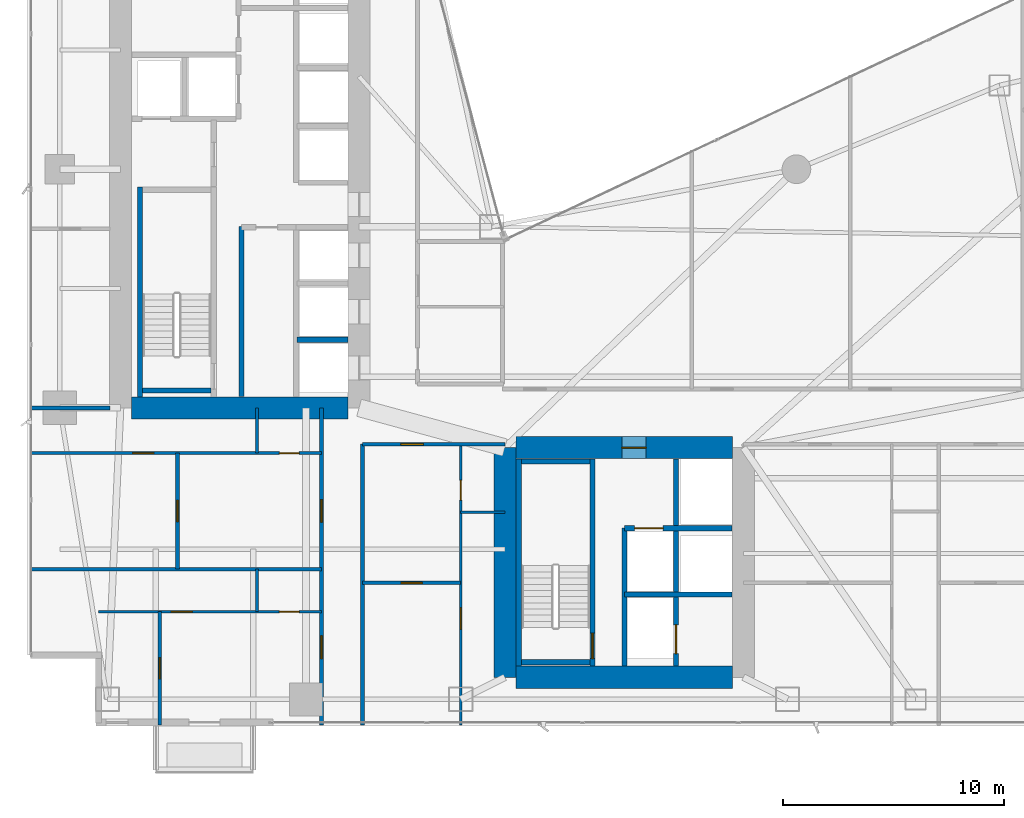
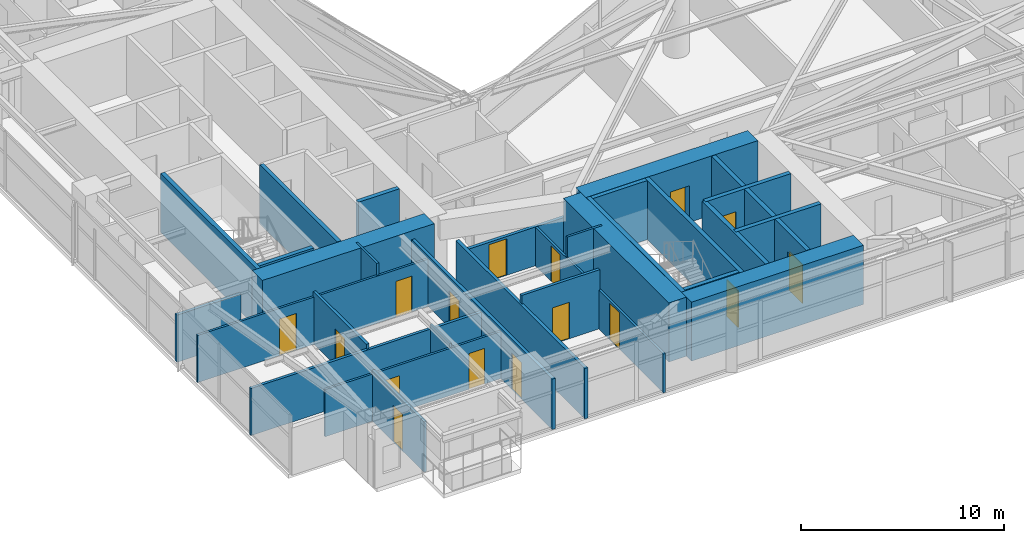
# One storey, part 22 of 29: 30 walls, 16 doors, 16 openings.
"""IFC4 building model written with IfcOpenShell, lengths in metres."""

from ifc_helpers import new_model, si_unit, direction, frame, frame_2d, origin, place, context, subcontext, project, spatial, rectangle, extrude, material, layer, layer_set, type_object, element, fill, save


model = new_model("IFC4")

# Units and contexts
model_context = context("Model", 3, precision=1e-05, world=origin(), true_north=direction((0.0, 1.0)))
body_context = subcontext(model_context, "Body", "Model", "MODEL_VIEW")
ifc_project = project(units=[si_unit("LENGTHUNIT", "METRE"), si_unit("AREAUNIT", "SQUARE_METRE"), si_unit("VOLUMEUNIT", "CUBIC_METRE"), si_unit("PLANEANGLEUNIT", "RADIAN"), si_unit("MASSUNIT", "GRAM", prefix="KILO")], contexts=[model_context])

# Site, building, storey
site_placement = place(None, origin())
site = spatial("IfcSite", under=ifc_project, at=site_placement, CompositionType="ELEMENT")
building_placement = place(site_placement, origin())
building = spatial("IfcBuilding", under=site, at=building_placement, Name="Calvorn Quay Hotel", CompositionType="ELEMENT")
storey_placement = place(building_placement, frame((0.0, 0.0, 34.60009765625)))
storey = spatial("IfcBuildingStorey", under=building, at=storey_placement, Name="L07", CompositionType="ELEMENT", Elevation=34.60009765625)

# Walls
ifc_material_1 = material(Name="Concrete C60", Category="concrete")
ifc_layer_1 = layer(ifc_material_1, 1.0)
ifc_layer_set_1 = layer_set([ifc_layer_1], Name="WL-CORE-1000")
wall_type_1 = type_object("IfcWallType", Name="WL-CORE-1000", PredefinedType="SHEAR", material=ifc_layer_set_1)
wall_1_placement = place(storey_placement, frame((4.699951171875, 16.800048828125, 0.0), z_axis=(0.0, 0.0, 1.0), x_axis=(1.0, 0.0, 0.0)))
element("IfcWall", 1, at=wall_1_placement, inside=storey, type_object=wall_type_1, Name="West Core Shear Wall S (L07)", PredefinedType="SHEAR", context=body_context, shape_type="SweptSolid", body=[
    extrude(rectangle(XDim=9.800048828125, YDim=1.0, at=frame_2d((4.89990234375, 0.0))), origin(), (0.0, 0.0, 1.0), 3.559814453125),
])
wall_2_placement = place(storey_placement, frame((21.60009765625, 4.60009765625, 0.0), z_axis=(0.0, 0.0, 1.0), x_axis=(0.0, 1.0, 0.0)))
element("IfcWall", 2, at=wall_2_placement, inside=storey, type_object=wall_type_1, Name="East Core Shear Wall W (L07)", PredefinedType="SHEAR", context=body_context, shape_type="SweptSolid", body=[
    extrude(rectangle(XDim=10.39990234375, YDim=1.0, at=frame_2d((5.199951171875, 0.0))), origin(), (0.0, 0.0, 1.0), 3.559814453125),
])

# Wall, opening, door
wall_3_placement = place(storey_placement, frame((22.10009765625, 15.0, 0.0), z_axis=(0.0, 0.0, 1.0), x_axis=(1.0, 0.0, 0.0)))
wall_3 = element("IfcWall", 3, at=wall_3_placement, inside=storey, type_object=wall_type_1, Name="East Core Shear Wall N (L07)", PredefinedType="SHEAR", context=body_context, shape_type="SweptSolid", body=[
    extrude(rectangle(XDim=9.7998046875, YDim=1.0, at=frame_2d((4.89990234375, 0.0))), origin(), (0.0, 0.0, 1.0), 3.559814453125),
])
opening_1_placement = place(wall_3_placement, frame((4.800048828125, 0.0, 0.0)))
opening_1 = element("IfcOpeningElement", 4, at=opening_1_placement, cuts=wall_3, Name="Opening D-L07-FLE", PredefinedType="OPENING", context=body_context, shape_type="SweptSolid", body=[
    extrude(rectangle(XDim=1.10009765625, YDim=2.199951171875, at=frame_2d((0.550048828125, 1.10009765625))), frame((0.0, 0.510009765625, 0.0), z_axis=(0.0, -1.0, 0.0), x_axis=(1.0, 0.0, 0.0)), (0.0, 0.0, 1.0), 1.02001953125),
])
ifc_material_2 = material(Name="Smoke-Sealed Steel Class A Fire Door", Category="steel")
door_type_1 = type_object("IfcDoorType", Name="DR-FFLOBBY-1100", OperationType="NOTDEFINED", PredefinedType="DOOR", material=ifc_material_2)
door_1_placement = place(opening_1_placement, origin())
door_1 = element("IfcDoor", 5, at=door_1_placement, inside=storey, type_object=door_type_1, Name="East Firefighting Lobby Fire Door (L07)", OperationType="SINGLE_SWING_LEFT", OverallHeight=2.199951171875, OverallWidth=1.10009765625, PredefinedType="DOOR", context=body_context, shape_type="SweptSolid", body=[
    extrude(rectangle(XDim=1.10009765625, YDim=2.199951171875, at=frame_2d((0.550048828125, 1.10009765625))), frame((0.0, 0.02490234375, 0.0), z_axis=(0.0, -1.0, 0.0), x_axis=(1.0, 0.0, 0.0)), (0.0, 0.0, 1.0), 0.050048828125),
])
fill(opening_1, door_1)

# Walls
wall_4_placement = place(storey_placement, frame((22.10009765625, 4.60009765625, 0.0), z_axis=(0.0, 0.0, 1.0), x_axis=(1.0, 0.0, 0.0)))
element("IfcWall", 6, at=wall_4_placement, inside=storey, type_object=wall_type_1, Name="East Core Shear Wall S (L07)", PredefinedType="SHEAR", context=body_context, shape_type="SweptSolid", body=[
    extrude(rectangle(XDim=9.7998046875, YDim=1.0, at=frame_2d((4.89990234375, 0.0))), origin(), (0.0, 0.0, 1.0), 3.559814453125),
])
ifc_material_3 = material(Name="Acoustic Fireboard Steel-Stud Partition", Category="steel")
ifc_layer_2 = layer(ifc_material_3, 0.179931640625)
ifc_layer_set_2 = layer_set([ifc_layer_2], Name="WL-CORR-FIRE-180")
wall_type_2 = type_object("IfcWallType", Name="WL-CORR-FIRE-180", PredefinedType="PARTITIONING", material=ifc_layer_set_2)
wall_5_placement = place(storey_placement, frame((0.080078125, 16.800048828125, 0.0), z_axis=(0.0, 0.0, 1.0), x_axis=(1.0, 0.0, 0.0)))
element("IfcWall", 7, at=wall_5_placement, inside=storey, type_object=wall_type_2, Name="Partition Wall L07-WL-WBAY-S-WALL", PredefinedType="PARTITIONING", context=body_context, shape_type="SweptSolid", body=[
    extrude(rectangle(XDim=3.64990234375, YDim=0.179931640625, at=frame_2d((1.824951171875, 0.0))), origin(), (0.0, 0.0, 1.0), 2.83984375),
])

# Wall, openings, doors
wall_6_placement = place(storey_placement, frame((13.300048828125, 2.43994140625, 0.0), z_axis=(0.0, 0.0, 1.0), x_axis=(0.0, 1.0, 0.0)))
wall_6 = element("IfcWall", 8, at=wall_6_placement, inside=storey, type_object=wall_type_2, Name="Partition Wall L07-WL-CORR-SW-LEG-W", PredefinedType="PARTITIONING", context=body_context, shape_type="SweptSolid", body=[
    extrude(rectangle(XDim=14.360107421875, YDim=0.179931640625, at=frame_2d((7.18017578125, 0.0))), origin(), (0.0, 0.0, 1.0), 3.039794921875),
])
opening_2_placement = place(wall_6_placement, frame((3.010009765625, 0.0, 0.0)))
opening_2 = element("IfcOpeningElement", 9, at=opening_2_placement, cuts=wall_6, Name="Opening D-L07-U01", PredefinedType="OPENING", context=body_context, shape_type="SweptSolid", body=[
    extrude(rectangle(XDim=1.02001953125, YDim=2.199951171875, at=frame_2d((0.510009765625, 1.10009765625))), frame((0.0, 0.099853515625, 0.0), z_axis=(0.0, -1.0, 0.0), x_axis=(1.0, 0.0, 0.0)), (0.0, 0.0, 1.0), 0.199951171875),
])
opening_3_placement = place(wall_6_placement, frame((9.179931640625, 0.0, 0.0)))
opening_3 = element("IfcOpeningElement", 10, at=opening_3_placement, cuts=wall_6, Name="Opening D-L07-U02", PredefinedType="OPENING", context=body_context, shape_type="SweptSolid", body=[
    extrude(rectangle(XDim=1.02001953125, YDim=2.199951171875, at=frame_2d((0.510009765625, 1.10009765625))), frame((0.0, 0.099853515625, 0.0), z_axis=(0.0, -1.0, 0.0), x_axis=(1.0, 0.0, 0.0)), (0.0, 0.0, 1.0), 0.199951171875),
])
ifc_material_4 = material(Name="Solid-Core Walnut Veneer Hotel Fire Door")
door_type_2 = type_object("IfcDoorType", Name="DR-GUEST-ENTRY-1020", OperationType="NOTDEFINED", PredefinedType="DOOR", material=ifc_material_4)
door_2_placement = place(opening_2_placement, origin())
door_2 = element("IfcDoor", 11, at=door_2_placement, inside=storey, type_object=door_type_2, Name="South-West Unit Door U01 (L07)", OperationType="SINGLE_SWING_LEFT", OverallHeight=2.199951171875, OverallWidth=1.02001953125, PredefinedType="DOOR", context=body_context, shape_type="SweptSolid", body=[
    extrude(rectangle(XDim=1.02001953125, YDim=2.199951171875, at=frame_2d((0.510009765625, 1.10009765625))), frame((0.0, 0.02490234375, 0.0), z_axis=(0.0, -1.0, 0.0), x_axis=(1.0, 0.0, 0.0)), (0.0, 0.0, 1.0), 0.050048828125),
])
fill(opening_2, door_2)
door_3_placement = place(opening_3_placement, origin())
door_3 = element("IfcDoor", 12, at=door_3_placement, inside=storey, type_object=door_type_2, Name="South-West Unit Door U02 (L07)", OperationType="SINGLE_SWING_RIGHT", OverallHeight=2.199951171875, OverallWidth=1.02001953125, PredefinedType="DOOR", context=body_context, shape_type="SweptSolid", body=[
    extrude(rectangle(XDim=1.02001953125, YDim=2.199951171875, at=frame_2d((0.510009765625, 1.10009765625))), frame((0.0, 0.02490234375, 0.0), z_axis=(0.0, -1.0, 0.0), x_axis=(1.0, 0.0, 0.0)), (0.0, 0.0, 1.0), 0.050048828125),
])
fill(opening_3, door_3)

# Wall
wall_7_placement = place(storey_placement, frame((15.14990234375, 2.43994140625, 0.0), z_axis=(0.0, 0.0, 1.0), x_axis=(0.0, 1.0, 0.0)))
element("IfcWall", 13, at=wall_7_placement, inside=storey, type_object=wall_type_2, Name="Partition Wall L07-WL-CORR-SW-W", PredefinedType="PARTITIONING", context=body_context, shape_type="SweptSolid", body=[
    extrude(rectangle(XDim=12.7099609375, YDim=0.179931640625, at=frame_2d((6.35498046875, 0.0))), origin(), (0.0, 0.0, 1.0), 3.039794921875),
])

# Wall, opening, door
wall_8_placement = place(storey_placement, frame((15.14990234375, 15.14990234375, 0.0), z_axis=(0.0, 0.0, 1.0), x_axis=(1.0, 0.0, 0.0)))
wall_8 = element("IfcWall", 14, at=wall_8_placement, inside=storey, type_object=wall_type_2, Name="Partition Wall L07-WL-SC-CORR-S", PredefinedType="PARTITIONING", context=body_context, shape_type="SweptSolid", body=[
    extrude(rectangle(XDim=6.4501953125, YDim=0.179931640625, at=frame_2d((3.22509765625, 0.0))), origin(), (0.0, 0.0, 1.0), 2.33984375),
])
opening_4_placement = place(wall_8_placement, frame((1.739990234375, 0.0, 0.0)))
opening_4 = element("IfcOpeningElement", 15, at=opening_4_placement, cuts=wall_8, Name="Opening D-L07-U03", PredefinedType="OPENING", context=body_context, shape_type="SweptSolid", body=[
    extrude(rectangle(XDim=1.02001953125, YDim=2.199951171875, at=frame_2d((0.510009765625, 1.10009765625))), frame((0.0, 0.099853515625, 0.0), z_axis=(0.0, -1.0, 0.0), x_axis=(1.0, 0.0, 0.0)), (0.0, 0.0, 1.0), 0.199951171875),
])
door_4_placement = place(opening_4_placement, origin())
door_4 = element("IfcDoor", 16, at=door_4_placement, inside=storey, type_object=door_type_2, Name="Harbour Central Unit Door (L07)", OperationType="SINGLE_SWING_LEFT", OverallHeight=2.199951171875, OverallWidth=1.02001953125, PredefinedType="DOOR", context=body_context, shape_type="SweptSolid", body=[
    extrude(rectangle(XDim=1.02001953125, YDim=2.199951171875, at=frame_2d((0.510009765625, 1.10009765625))), frame((0.0, 0.02490234375, 0.0), z_axis=(0.0, -1.0, 0.0), x_axis=(1.0, 0.0, 0.0)), (0.0, 0.0, 1.0), 0.050048828125),
])
fill(opening_4, door_4)

# Wall
ifc_material_5 = material(Name="Moisture-Resistant Tile-Backed Partition")
ifc_layer_3 = layer(ifc_material_5, 0.125)
ifc_layer_set_3 = layer_set([ifc_layer_3], Name="WL-ENSUITE-125")
wall_type_3 = type_object("IfcWallType", Name="WL-ENSUITE-125", PredefinedType="PARTITIONING", material=ifc_layer_set_3)
wall_9_placement = place(storey_placement, frame((10.3798828125, 7.570068359375, 0.0), z_axis=(0.0, 0.0, 1.0), x_axis=(0.0, 1.0, 0.0)))
element("IfcWall", 17, at=wall_9_placement, inside=storey, type_object=wall_type_3, Name="Partition Wall L07-WL-U01-BDV", PredefinedType="PARTITIONING", context=body_context, shape_type="SweptSolid", body=[
    extrude(rectangle(XDim=1.929931640625, YDim=0.125, at=frame_2d((0.96484375, 0.0))), origin(), (0.0, 0.0, 1.0), 3.08984375),
])

# Wall, openings, doors
wall_10_placement = place(storey_placement, frame((3.199951171875, 7.570068359375, 0.0), z_axis=(0.0, 0.0, 1.0), x_axis=(1.0, 0.0, 0.0)))
wall_10 = element("IfcWall", 18, at=wall_10_placement, inside=storey, type_object=wall_type_3, Name="Partition Wall L07-WL-U01-BH", PredefinedType="PARTITIONING", context=body_context, shape_type="SweptSolid", body=[
    extrude(rectangle(XDim=10.10009765625, YDim=0.125, at=frame_2d((5.050048828125, 0.0))), origin(), (0.0, 0.0, 1.0), 2.83984375),
])
opening_5_placement = place(wall_10_placement, frame((3.2900390625, 0.0, 0.0)))
opening_5 = element("IfcOpeningElement", 19, at=opening_5_placement, cuts=wall_10, Name="Opening D-L07-S01", PredefinedType="OPENING", context=body_context, shape_type="SweptSolid", body=[
    extrude(rectangle(XDim=0.9599609375, YDim=2.199951171875, at=frame_2d((0.47998046875, 1.10009765625))), frame((0.0, 0.072509765625, 0.0), z_axis=(0.0, -1.0, 0.0), x_axis=(1.0, 0.0, 0.0)), (0.0, 0.0, 1.0), 0.14501953125),
])
opening_6_placement = place(wall_10_placement, frame((8.18994140625, 0.0, 0.0)))
opening_6 = element("IfcOpeningElement", 20, at=opening_6_placement, cuts=wall_10, Name="Opening D-L07-E01", PredefinedType="OPENING", context=body_context, shape_type="SweptSolid", body=[
    extrude(rectangle(XDim=0.89990234375, YDim=2.14990234375, at=frame_2d((0.449951171875, 1.074951171875))), frame((0.0, 0.072509765625, 0.0), z_axis=(0.0, -1.0, 0.0), x_axis=(1.0, 0.0, 0.0)), (0.0, 0.0, 1.0), 0.14501953125),
])
ifc_material_6 = material(Name="Moisture-Sealed Timber En-Suite Door", Category="wood")
door_type_3 = type_object("IfcDoorType", Name="DR-ENSUITE-900", OperationType="NOTDEFINED", PredefinedType="DOOR", material=ifc_material_6)
door_5_placement = place(opening_6_placement, origin())
door_5 = element("IfcDoor", 21, at=door_5_placement, inside=storey, type_object=door_type_3, Name="En-Suite Door 01", OperationType="SINGLE_SWING_RIGHT", OverallHeight=2.14990234375, OverallWidth=0.89990234375, PredefinedType="DOOR", context=body_context, shape_type="SweptSolid", body=[
    extrude(rectangle(XDim=0.89990234375, YDim=2.14990234375, at=frame_2d((0.449951171875, 1.074951171875))), frame((0.0, 0.02490234375, 0.0), z_axis=(0.0, -1.0, 0.0), x_axis=(1.0, 0.0, 0.0)), (0.0, 0.0, 1.0), 0.050048828125),
])
fill(opening_6, door_5)
ifc_material_7 = material(Name="Solid Timber Internal Suite Door", Category="wood")
door_type_4 = type_object("IfcDoorType", Name="DR-SUITE-INT-960", OperationType="NOTDEFINED", PredefinedType="DOOR", material=ifc_material_7)
door_6_placement = place(opening_5_placement, origin())
door_6 = element("IfcDoor", 22, at=door_6_placement, inside=storey, type_object=door_type_4, Name="Harbour Tea Room Door 01", OperationType="SINGLE_SWING_LEFT", OverallHeight=2.199951171875, OverallWidth=0.9599609375, PredefinedType="DOOR", context=body_context, shape_type="SweptSolid", body=[
    extrude(rectangle(XDim=0.9599609375, YDim=2.199951171875, at=frame_2d((0.47998046875, 1.10009765625))), frame((0.0, 0.02490234375, 0.0), z_axis=(0.0, -1.0, 0.0), x_axis=(1.0, 0.0, 0.0)), (0.0, 0.0, 1.0), 0.050048828125),
])
fill(opening_5, door_6)

# Wall
wall_11_placement = place(storey_placement, frame((10.3798828125, 14.75, 0.0), z_axis=(0.0, 0.0, 1.0), x_axis=(0.0, 1.0, 0.0)))
element("IfcWall", 23, at=wall_11_placement, inside=storey, type_object=wall_type_3, Name="Partition Wall L07-WL-U02-BDV", PredefinedType="PARTITIONING", context=body_context, shape_type="SweptSolid", body=[
    extrude(rectangle(XDim=2.050048828125, YDim=0.125, at=frame_2d((1.02490234375, 0.0))), origin(), (0.0, 0.0, 1.0), 3.559814453125),
])

# Wall, openings, doors
wall_12_placement = place(storey_placement, frame((0.080078125, 14.75, 0.0), z_axis=(0.0, 0.0, 1.0), x_axis=(1.0, 0.0, 0.0)))
wall_12 = element("IfcWall", 24, at=wall_12_placement, inside=storey, type_object=wall_type_3, Name="Partition Wall L07-WL-U02-BH", PredefinedType="PARTITIONING", context=body_context, shape_type="SweptSolid", body=[
    extrude(rectangle(XDim=13.219970703125, YDim=0.125, at=frame_2d((6.60986328125, 0.0))), origin(), (0.0, 0.0, 1.0), 2.83984375),
])
opening_7_placement = place(wall_12_placement, frame((4.669921875, 0.0, 0.0)))
opening_7 = element("IfcOpeningElement", 25, at=opening_7_placement, cuts=wall_12, Name="Opening D-L07-S02", PredefinedType="OPENING", context=body_context, shape_type="SweptSolid", body=[
    extrude(rectangle(XDim=0.9599609375, YDim=2.199951171875, at=frame_2d((0.47998046875, 1.10009765625))), frame((0.0, 0.072509765625, 0.0), z_axis=(0.0, -1.0, 0.0), x_axis=(1.0, 0.0, 0.0)), (0.0, 0.0, 1.0), 0.14501953125),
])
opening_8_placement = place(wall_12_placement, frame((11.31005859375, 0.0, 0.0)))
opening_8 = element("IfcOpeningElement", 26, at=opening_8_placement, cuts=wall_12, Name="Opening D-L07-E02", PredefinedType="OPENING", context=body_context, shape_type="SweptSolid", body=[
    extrude(rectangle(XDim=0.89990234375, YDim=2.14990234375, at=frame_2d((0.449951171875, 1.074951171875))), frame((0.0, 0.072509765625, 0.0), z_axis=(0.0, -1.0, 0.0), x_axis=(1.0, 0.0, 0.0)), (0.0, 0.0, 1.0), 0.14501953125),
])
door_7_placement = place(opening_8_placement, origin())
door_7 = element("IfcDoor", 27, at=door_7_placement, inside=storey, type_object=door_type_3, Name="En-Suite Door 02", OperationType="SINGLE_SWING_RIGHT", OverallHeight=2.14990234375, OverallWidth=0.89990234375, PredefinedType="DOOR", context=body_context, shape_type="SweptSolid", body=[
    extrude(rectangle(XDim=0.89990234375, YDim=2.14990234375, at=frame_2d((0.449951171875, 1.074951171875))), frame((0.0, 0.02490234375, 0.0), z_axis=(0.0, -1.0, 0.0), x_axis=(1.0, 0.0, 0.0)), (0.0, 0.0, 1.0), 0.050048828125),
])
fill(opening_8, door_7)
door_8_placement = place(opening_7_placement, origin())
door_8 = element("IfcDoor", 28, at=door_8_placement, inside=storey, type_object=door_type_4, Name="Harbour Tea Room Door 02", OperationType="SINGLE_SWING_LEFT", OverallHeight=2.199951171875, OverallWidth=0.9599609375, PredefinedType="DOOR", context=body_context, shape_type="SweptSolid", body=[
    extrude(rectangle(XDim=0.9599609375, YDim=2.199951171875, at=frame_2d((0.47998046875, 1.10009765625))), frame((0.0, 0.02490234375, 0.0), z_axis=(0.0, -1.0, 0.0), x_axis=(1.0, 0.0, 0.0)), (0.0, 0.0, 1.0), 0.050048828125),
])
fill(opening_7, door_8)

# Wall
wall_13_placement = place(storey_placement, frame((19.60009765625, 12.070068359375, 0.0), z_axis=(0.0, 0.0, 1.0), x_axis=(1.0, 0.0, 0.0)))
element("IfcWall", 29, at=wall_13_placement, inside=storey, type_object=wall_type_3, Name="Partition Wall L07-WL-U03-BDV", PredefinedType="PARTITIONING", context=body_context, shape_type="SweptSolid", body=[
    extrude(rectangle(XDim=2.0, YDim=0.125, at=frame_2d((1.0, 0.0))), origin(), (0.0, 0.0, 1.0), 3.559814453125),
])

# Wall, openings, doors
wall_14_placement = place(storey_placement, frame((19.60009765625, 2.43994140625, 0.0), z_axis=(0.0, 0.0, 1.0), x_axis=(0.0, 1.0, 0.0)))
wall_14 = element("IfcWall", 30, at=wall_14_placement, inside=storey, type_object=wall_type_3, Name="Partition Wall L07-WL-U03-BV", PredefinedType="PARTITIONING", context=body_context, shape_type="SweptSolid", body=[
    extrude(rectangle(XDim=12.7099609375, YDim=0.125, at=frame_2d((6.35498046875, 0.0))), origin(), (0.0, 0.0, 1.0), 2.33984375),
])
opening_9_placement = place(wall_14_placement, frame((4.340087890625, 0.0, 0.0)))
opening_9 = element("IfcOpeningElement", 31, at=opening_9_placement, cuts=wall_14, Name="Opening D-L07-S03", PredefinedType="OPENING", context=body_context, shape_type="SweptSolid", body=[
    extrude(rectangle(XDim=0.9599609375, YDim=2.199951171875, at=frame_2d((0.47998046875, 1.10009765625))), frame((0.0, 0.072509765625, 0.0), z_axis=(0.0, -1.0, 0.0), x_axis=(1.0, 0.0, 0.0)), (0.0, 0.0, 1.0), 0.14501953125),
])
opening_10_placement = place(wall_14_placement, frame((10.179931640625, 0.0, 0.0)))
opening_10 = element("IfcOpeningElement", 32, at=opening_10_placement, cuts=wall_14, Name="Opening D-L07-E03", PredefinedType="OPENING", context=body_context, shape_type="SweptSolid", body=[
    extrude(rectangle(XDim=0.89990234375, YDim=2.14990234375, at=frame_2d((0.449951171875, 1.074951171875))), frame((0.0, 0.072509765625, 0.0), z_axis=(0.0, -1.0, 0.0), x_axis=(1.0, 0.0, 0.0)), (0.0, 0.0, 1.0), 0.14501953125),
])
door_9_placement = place(opening_10_placement, origin())
door_9 = element("IfcDoor", 33, at=door_9_placement, inside=storey, type_object=door_type_3, Name="En-Suite Door 03", OperationType="SINGLE_SWING_RIGHT", OverallHeight=2.14990234375, OverallWidth=0.89990234375, PredefinedType="DOOR", context=body_context, shape_type="SweptSolid", body=[
    extrude(rectangle(XDim=0.89990234375, YDim=2.14990234375, at=frame_2d((0.449951171875, 1.074951171875))), frame((0.0, 0.02490234375, 0.0), z_axis=(0.0, -1.0, 0.0), x_axis=(1.0, 0.0, 0.0)), (0.0, 0.0, 1.0), 0.050048828125),
])
fill(opening_10, door_9)
door_10_placement = place(opening_9_placement, origin())
door_10 = element("IfcDoor", 34, at=door_10_placement, inside=storey, type_object=door_type_4, Name="Harbour Tea Room Door 03", OperationType="SINGLE_SWING_LEFT", OverallHeight=2.199951171875, OverallWidth=0.9599609375, PredefinedType="DOOR", context=body_context, shape_type="SweptSolid", body=[
    extrude(rectangle(XDim=0.9599609375, YDim=2.199951171875, at=frame_2d((0.47998046875, 1.10009765625))), frame((0.0, 0.02490234375, 0.0), z_axis=(0.0, -1.0, 0.0), x_axis=(1.0, 0.0, 0.0)), (0.0, 0.0, 1.0), 0.050048828125),
])
fill(opening_9, door_10)

# Wall, opening, door
ifc_material_8 = material(Name="Double-Stud Acoustic Gypsum Partition")
ifc_layer_4 = layer(ifc_material_8, 0.159912109375)
ifc_layer_set_4 = layer_set([ifc_layer_4], Name="WL-INTERSUITE-160")
wall_type_4 = type_object("IfcWallType", Name="WL-INTERSUITE-160", PredefinedType="PARTITIONING", material=ifc_layer_set_4)
wall_15_placement = place(storey_placement, frame((5.97998046875, 2.43994140625, 0.0), z_axis=(0.0, 0.0, 1.0), x_axis=(0.0, 1.0, 0.0)))
wall_15 = element("IfcWall", 35, at=wall_15_placement, inside=storey, type_object=wall_type_4, Name="Partition Wall L07-WL-U01-MSP", PredefinedType="PARTITIONING", context=body_context, shape_type="SweptSolid", body=[
    extrude(rectangle(XDim=5.130126953125, YDim=0.159912109375, at=frame_2d((2.56494140625, 0.0))), origin(), (0.0, 0.0, 1.0), 3.039794921875),
])
opening_11_placement = place(wall_15_placement, frame((2.090087890625, 0.0, 0.0)))
opening_11 = element("IfcOpeningElement", 36, at=opening_11_placement, cuts=wall_15, Name="Opening D-L07-M01", PredefinedType="OPENING", context=body_context, shape_type="SweptSolid", body=[
    extrude(rectangle(XDim=0.9599609375, YDim=2.199951171875, at=frame_2d((0.47998046875, 1.10009765625))), frame((0.0, 0.08984375, 0.0), z_axis=(0.0, -1.0, 0.0), x_axis=(1.0, 0.0, 0.0)), (0.0, 0.0, 1.0), 0.179931640625),
])
door_11_placement = place(opening_11_placement, origin())
door_11 = element("IfcDoor", 37, at=door_11_placement, inside=storey, type_object=door_type_4, Name="Suite Bedroom Door 01", OperationType="SINGLE_SWING_LEFT", OverallHeight=2.199951171875, OverallWidth=0.9599609375, PredefinedType="DOOR", context=body_context, shape_type="SweptSolid", body=[
    extrude(rectangle(XDim=0.9599609375, YDim=2.199951171875, at=frame_2d((0.47998046875, 1.10009765625))), frame((0.0, 0.02490234375, 0.0), z_axis=(0.0, -1.0, 0.0), x_axis=(1.0, 0.0, 0.0)), (0.0, 0.0, 1.0), 0.050048828125),
])
fill(opening_11, door_11)

wall_16_placement = place(storey_placement, frame((6.780029296875, 9.5, 0.0), z_axis=(0.0, 0.0, 1.0), x_axis=(0.0, 1.0, 0.0)))
wall_16 = element("IfcWall", 38, at=wall_16_placement, inside=storey, type_object=wall_type_4, Name="Partition Wall L07-WL-U02-MSP", PredefinedType="PARTITIONING", context=body_context, shape_type="SweptSolid", body=[
    extrude(rectangle(XDim=5.25, YDim=0.159912109375, at=frame_2d((2.625, 0.0))), origin(), (0.0, 0.0, 1.0), 3.139892578125),
])
opening_12_placement = place(wall_16_placement, frame((2.14990234375, 0.0, 0.0)))
opening_12 = element("IfcOpeningElement", 39, at=opening_12_placement, cuts=wall_16, Name="Opening D-L07-M02", PredefinedType="OPENING", context=body_context, shape_type="SweptSolid", body=[
    extrude(rectangle(XDim=0.9599609375, YDim=2.199951171875, at=frame_2d((0.47998046875, 1.10009765625))), frame((0.0, 0.08984375, 0.0), z_axis=(0.0, -1.0, 0.0), x_axis=(1.0, 0.0, 0.0)), (0.0, 0.0, 1.0), 0.179931640625),
])
door_12_placement = place(opening_12_placement, origin())
door_12 = element("IfcDoor", 40, at=door_12_placement, inside=storey, type_object=door_type_4, Name="Suite Bedroom Door 02", OperationType="SINGLE_SWING_LEFT", OverallHeight=2.199951171875, OverallWidth=0.9599609375, PredefinedType="DOOR", context=body_context, shape_type="SweptSolid", body=[
    extrude(rectangle(XDim=0.9599609375, YDim=2.199951171875, at=frame_2d((0.47998046875, 1.10009765625))), frame((0.0, 0.02490234375, 0.0), z_axis=(0.0, -1.0, 0.0), x_axis=(1.0, 0.0, 0.0)), (0.0, 0.0, 1.0), 0.050048828125),
])
fill(opening_12, door_12)

# Wall
wall_17_placement = place(storey_placement, frame((0.080078125, 9.5, 0.0), z_axis=(0.0, 0.0, 1.0), x_axis=(1.0, 0.0, 0.0)))
element("IfcWall", 41, at=wall_17_placement, inside=storey, type_object=wall_type_4, Name="Partition Wall L07-WL-SW-DIV-1", PredefinedType="PARTITIONING", context=body_context, shape_type="SweptSolid", body=[
    extrude(rectangle(XDim=13.219970703125, YDim=0.159912109375, at=frame_2d((6.60986328125, 0.0))), origin(), (0.0, 0.0, 1.0), 2.83984375),
])

# Wall, opening, door
wall_18_placement = place(storey_placement, frame((15.14990234375, 8.8701171875, 0.0), z_axis=(0.0, 0.0, 1.0), x_axis=(1.0, 0.0, 0.0)))
wall_18 = element("IfcWall", 42, at=wall_18_placement, inside=storey, type_object=wall_type_4, Name="Partition Wall L07-WL-U03-MSP", PredefinedType="PARTITIONING", context=body_context, shape_type="SweptSolid", body=[
    extrude(rectangle(XDim=4.4501953125, YDim=0.159912109375, at=frame_2d((2.22509765625, 0.0))), origin(), (0.0, 0.0, 1.0), 3.559814453125),
])
opening_13_placement = place(wall_18_placement, frame((1.75, 0.0, 0.0)))
opening_13 = element("IfcOpeningElement", 43, at=opening_13_placement, cuts=wall_18, Name="Opening D-L07-M03", PredefinedType="OPENING", context=body_context, shape_type="SweptSolid", body=[
    extrude(rectangle(XDim=0.9599609375, YDim=2.199951171875, at=frame_2d((0.47998046875, 1.10009765625))), frame((0.0, 0.08984375, 0.0), z_axis=(0.0, -1.0, 0.0), x_axis=(1.0, 0.0, 0.0)), (0.0, 0.0, 1.0), 0.179931640625),
])
door_13_placement = place(opening_13_placement, origin())
door_13 = element("IfcDoor", 44, at=door_13_placement, inside=storey, type_object=door_type_4, Name="Suite Bedroom Door 03", OperationType="SINGLE_SWING_LEFT", OverallHeight=2.199951171875, OverallWidth=0.9599609375, PredefinedType="DOOR", context=body_context, shape_type="SweptSolid", body=[
    extrude(rectangle(XDim=0.9599609375, YDim=2.199951171875, at=frame_2d((0.47998046875, 1.10009765625))), frame((0.0, 0.02490234375, 0.0), z_axis=(0.0, -1.0, 0.0), x_axis=(1.0, 0.0, 0.0)), (0.0, 0.0, 1.0), 0.050048828125),
])
fill(opening_13, door_13)

# Walls
ifc_material_9 = material(Name="Autoclaved Aerated Masonry Block", Category="masonry")
ifc_layer_5 = layer(ifc_material_9, 0.219970703125)
ifc_layer_set_5 = layer_set([ifc_layer_5], Name="WL-LOBBY-FIRE-220")
wall_type_5 = type_object("IfcWallType", Name="WL-LOBBY-FIRE-220", PredefinedType="SOLIDWALL", material=ifc_layer_set_5)
wall_19_placement = place(storey_placement, frame((9.679931640625, 17.320068359375, 0.0), z_axis=(0.0, 0.0, 1.0), x_axis=(0.0, 1.0, 0.0)))
element("IfcWall", 45, at=wall_19_placement, inside=storey, type_object=wall_type_5, Name="Partition Wall L07-WL-CWW-STW-HALL-E", PredefinedType="SOLIDWALL", context=body_context, shape_type="SweptSolid", body=[
    extrude(rectangle(XDim=7.679931640625, YDim=0.219970703125, at=frame_2d((3.83984375, 0.0))), origin(), (0.0, 0.0, 1.0), 3.559814453125),
])
ifc_material_10 = material(Name="Concrete C40", Category="concrete")
ifc_layer_6 = layer(ifc_material_10, 0.239990234375)
ifc_layer_set_6 = layer_set([ifc_layer_6], Name="WL-SHAFT-240")
wall_type_6 = type_object("IfcWallType", Name="WL-SHAFT-240", PredefinedType="SOLIDWALL", material=ifc_layer_set_6)
wall_20_placement = place(storey_placement, frame((5.080078125, 17.300048828125, 0.0), z_axis=(0.0, 0.0, 1.0), x_axis=(0.0, 1.0, 0.0)))
element("IfcWall", 46, at=wall_20_placement, inside=storey, type_object=wall_type_6, Name="Stair STW Shaft Wall W (L07)", PredefinedType="SOLIDWALL", context=body_context, shape_type="SweptSolid", body=[
    extrude(rectangle(XDim=9.489990234375, YDim=0.239990234375, at=frame_2d((4.7451171875, 0.0))), origin(), (0.0, 0.0, 1.0), 3.559814453125),
])
wall_21_placement = place(storey_placement, frame((5.199951171875, 17.580078125, 0.0), z_axis=(0.0, 0.0, 1.0), x_axis=(1.0, 0.0, 0.0)))
element("IfcWall", 47, at=wall_21_placement, inside=storey, type_object=wall_type_6, Name="Stair STW Shaft Wall S (L07)", PredefinedType="SOLIDWALL", context=body_context, shape_type="SweptSolid", body=[
    extrude(rectangle(XDim=3.10009765625, YDim=0.239990234375, at=frame_2d((1.550048828125, 0.0))), origin(), (0.0, 0.0, 1.0), 3.559814453125),
])
wall_22_placement = place(storey_placement, frame((22.22998046875, 5.10009765625, 0.0), z_axis=(0.0, 0.0, 1.0), x_axis=(0.0, 1.0, 0.0)))
element("IfcWall", 48, at=wall_22_placement, inside=storey, type_object=wall_type_6, Name="Stair STE Shaft Wall W (L07)", PredefinedType="SOLIDWALL", context=body_context, shape_type="SweptSolid", body=[
    extrude(rectangle(XDim=9.389892578125, YDim=0.239990234375, at=frame_2d((4.69482421875, 0.0))), origin(), (0.0, 0.0, 1.0), 3.559814453125),
])

# Wall, opening, door
wall_23_placement = place(storey_placement, frame((25.570068359375, 5.10009765625, 0.0), z_axis=(0.0, 0.0, 1.0), x_axis=(0.0, 1.0, 0.0)))
wall_23 = element("IfcWall", 49, at=wall_23_placement, inside=storey, type_object=wall_type_6, Name="Stair STE Shaft Wall E (L07)", PredefinedType="SOLIDWALL", context=body_context, shape_type="SweptSolid", body=[
    extrude(rectangle(XDim=9.389892578125, YDim=0.239990234375, at=frame_2d((4.69482421875, 0.0))), origin(), (0.0, 0.0, 1.0), 3.559814453125),
])
opening_14_placement = place(wall_23_placement, frame((0.35009765625, 0.0, 0.0)))
opening_14 = element("IfcOpeningElement", 50, at=opening_14_placement, cuts=wall_23, Name="Opening D-L07-STE", PredefinedType="OPENING", context=body_context, shape_type="SweptSolid", body=[
    extrude(rectangle(XDim=1.14990234375, YDim=2.199951171875, at=frame_2d((0.574951171875, 1.10009765625))), frame((0.0, 0.1298828125, 0.0), z_axis=(0.0, -1.0, 0.0), x_axis=(1.0, 0.0, 0.0)), (0.0, 0.0, 1.0), 0.260009765625),
])
ifc_material_11 = material(Name="Galvanised Steel Class A Fire Door", Category="steel")
door_type_5 = type_object("IfcDoorType", Name="DR-STAIR-SMOKE-1150", OperationType="NOTDEFINED", PredefinedType="DOOR", material=ifc_material_11)
door_14_placement = place(opening_14_placement, origin())
door_14 = element("IfcDoor", 51, at=door_14_placement, inside=storey, type_object=door_type_5, Name="Stair ST-E Fire Door (L07)", OperationType="SINGLE_SWING_RIGHT", OverallHeight=2.199951171875, OverallWidth=1.14990234375, PredefinedType="DOOR", context=body_context, shape_type="SweptSolid", body=[
    extrude(rectangle(XDim=1.14990234375, YDim=2.199951171875, at=frame_2d((0.574951171875, 1.10009765625))), frame((0.0, 0.02490234375, 0.0), z_axis=(0.0, -1.0, 0.0), x_axis=(1.0, 0.0, 0.0)), (0.0, 0.0, 1.0), 0.050048828125),
])
fill(opening_14, door_14)

# Walls
for number, where, z_axis, x_axis, name in (
    (52, (22.35009765625, 5.280029296875, 0.0), (0.0, 0.0, 1.0), (1.0, 0.0, 0.0), "Stair STE Shaft Wall S (L07)"),
    (53, (22.35009765625, 14.3701171875, 0.0), (0.0, 0.0, 1.0), (1.0, 0.0, 0.0), "Stair STE Shaft Wall N (L07)"),
):
    element("IfcWall", number, at=place(storey_placement, frame(where, z_axis=z_axis, x_axis=x_axis)), inside=storey, type_object=wall_type_6, Name=name, PredefinedType="SOLIDWALL", context=body_context, shape_type="SweptSolid", body=[
        extrude(rectangle(XDim=3.099853515625, YDim=0.239990234375, at=frame_2d((1.5498046875, 0.0))), origin(), (0.0, 0.0, 1.0), 3.559814453125),
    ])
wall_24_placement = place(storey_placement, frame((12.179931640625, 19.875, 0.0), z_axis=(0.0, 0.0, 1.0), x_axis=(1.0, 0.0, 0.0)))
element("IfcWall", 54, at=wall_24_placement, inside=storey, type_object=wall_type_6, Name="Lift Hoistway Divider Wall PLL12 (L07)", PredefinedType="SOLIDWALL", context=body_context, shape_type="SweptSolid", body=[
    extrude(rectangle(XDim=2.320068359375, YDim=0.239990234375, at=frame_2d((1.16015625, 0.0))), origin(), (0.0, 0.0, 1.0), 3.559814453125),
])
wall_25_placement = place(storey_placement, frame((27.02001953125, 5.1201171875, 0.0), z_axis=(0.0, 0.0, 1.0), x_axis=(0.0, 1.0, 0.0)))
element("IfcWall", 55, at=wall_25_placement, inside=storey, type_object=wall_type_6, Name="Partition Wall L07-WL-CWE-SH-W", PredefinedType="SOLIDWALL", context=body_context, shape_type="SweptSolid", body=[
    extrude(rectangle(XDim=6.22998046875, YDim=0.239990234375, at=frame_2d((3.114990234375, 0.0))), origin(), (0.0, 0.0, 1.0), 3.559814453125),
])

# Wall, opening, door
wall_26_placement = place(storey_placement, frame((27.02001953125, 11.35009765625, 0.0), z_axis=(0.0, 0.0, 1.0), x_axis=(1.0, 0.0, 0.0)))
wall_26 = element("IfcWall", 56, at=wall_26_placement, inside=storey, type_object=wall_type_6, Name="Partition Wall L07-WL-CWE-FFL-S", PredefinedType="SOLIDWALL", context=body_context, shape_type="SweptSolid", body=[
    extrude(rectangle(XDim=4.85986328125, YDim=0.239990234375, at=frame_2d((2.429931640625, 0.0))), origin(), (0.0, 0.0, 1.0), 3.559814453125),
])
opening_15_placement = place(wall_26_placement, frame((0.449951171875, 0.0, 0.0)))
opening_15 = element("IfcOpeningElement", 57, at=opening_15_placement, cuts=wall_26, Name="Opening LD-L07-FLE1", PredefinedType="OPENING", context=body_context, shape_type="SweptSolid", body=[
    extrude(rectangle(XDim=1.300048828125, YDim=2.35009765625, at=frame_2d((0.64990234375, 1.175048828125))), frame((0.0, 0.1298828125, 0.0), z_axis=(0.0, -1.0, 0.0), x_axis=(1.0, 0.0, 0.0)), (0.0, 0.0, 1.0), 0.260009765625),
])
ifc_material_12 = material(Name="Champagne-Bronze Sliding Express Lift Landing Door")
door_type_6 = type_object("IfcDoorType", Name="DR-LIFT-SHUTTLE-1300", OperationType="NOTDEFINED", PredefinedType="DOOR", material=ifc_material_12)
door_15_placement = place(opening_15_placement, origin())
door_15 = element("IfcDoor", 58, at=door_15_placement, inside=storey, type_object=door_type_6, Name="Firefighting Lift FL-E1 Landing Door (L07)", OperationType="DOUBLE_DOOR_SLIDING", OverallHeight=2.35009765625, OverallWidth=1.300048828125, PredefinedType="DOOR", context=body_context, shape_type="SweptSolid", body=[
    extrude(rectangle(XDim=1.300048828125, YDim=2.35009765625, at=frame_2d((0.64990234375, 1.175048828125))), frame((0.0, 0.02490234375, 0.0), z_axis=(0.0, -1.0, 0.0), x_axis=(1.0, 0.0, 0.0)), (0.0, 0.0, 1.0), 0.050048828125),
])
fill(opening_15, door_15)

# Wall
wall_27_placement = place(storey_placement, frame((27.02001953125, 8.35009765625, 0.0), z_axis=(0.0, 0.0, 1.0), x_axis=(1.0, 0.0, 0.0)))
element("IfcWall", 59, at=wall_27_placement, inside=storey, type_object=wall_type_6, Name="Partition Wall L07-WL-CWE-SL-N", PredefinedType="SOLIDWALL", context=body_context, shape_type="SweptSolid", body=[
    extrude(rectangle(XDim=4.85986328125, YDim=0.239990234375, at=frame_2d((2.429931640625, 0.0))), origin(), (0.0, 0.0, 1.0), 3.559814453125),
])

# Wall, opening, door
wall_28_placement = place(storey_placement, frame((29.35009765625, 5.1201171875, 0.0), z_axis=(0.0, 0.0, 1.0), x_axis=(0.0, 1.0, 0.0)))
wall_28 = element("IfcWall", 60, at=wall_28_placement, inside=storey, type_object=wall_type_6, Name="Partition Wall L07-WL-CWE-OB-W", PredefinedType="SOLIDWALL", context=body_context, shape_type="SweptSolid", body=[
    extrude(rectangle(XDim=9.35986328125, YDim=0.239990234375, at=frame_2d((4.679931640625, 0.0))), origin(), (0.0, 0.0, 1.0), 3.559814453125),
])
opening_16_placement = place(wall_28_placement, frame((0.550048828125, 0.0, 0.0)))
opening_16 = element("IfcOpeningElement", 61, at=opening_16_placement, cuts=wall_28, Name="Opening LD-L07-SLEI", PredefinedType="OPENING", context=body_context, shape_type="SweptSolid", body=[
    extrude(rectangle(XDim=1.300048828125, YDim=2.35009765625, at=frame_2d((0.64990234375, 1.175048828125))), frame((0.0, 0.1298828125, 0.0), z_axis=(0.0, -1.0, 0.0), x_axis=(1.0, 0.0, 0.0)), (0.0, 0.0, 1.0), 0.260009765625),
])
door_16_placement = place(opening_16_placement, origin())
door_16 = element("IfcDoor", 62, at=door_16_placement, inside=storey, type_object=door_type_6, Name="Service Lift SL-E1 Landing Door (L07)", OperationType="DOUBLE_DOOR_SLIDING", OverallHeight=2.35009765625, OverallWidth=1.300048828125, PredefinedType="DOOR", context=body_context, shape_type="SweptSolid", body=[
    extrude(rectangle(XDim=1.300048828125, YDim=2.35009765625, at=frame_2d((0.64990234375, 1.175048828125))), frame((0.0, 0.02490234375, 0.0), z_axis=(0.0, -1.0, 0.0), x_axis=(1.0, 0.0, 0.0)), (0.0, 0.0, 1.0), 0.050048828125),
])
fill(opening_16, door_16)

save(model, "model.ifc")
